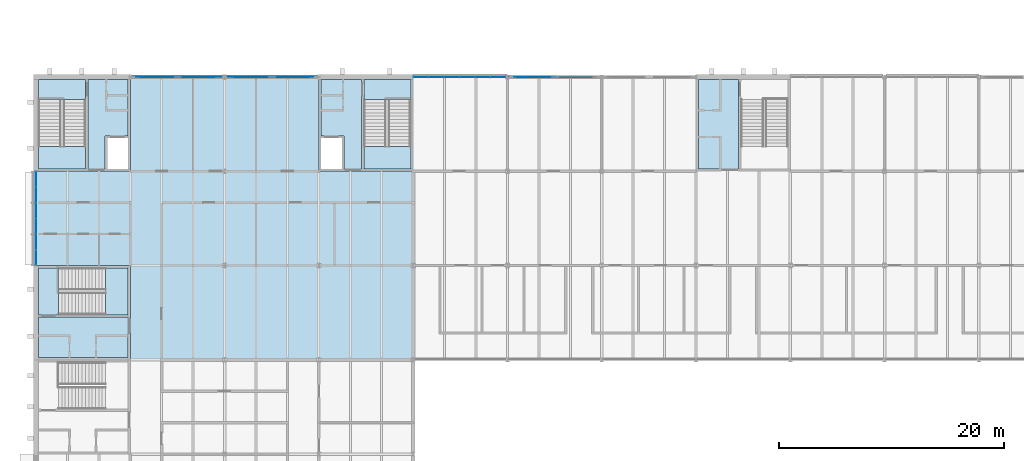
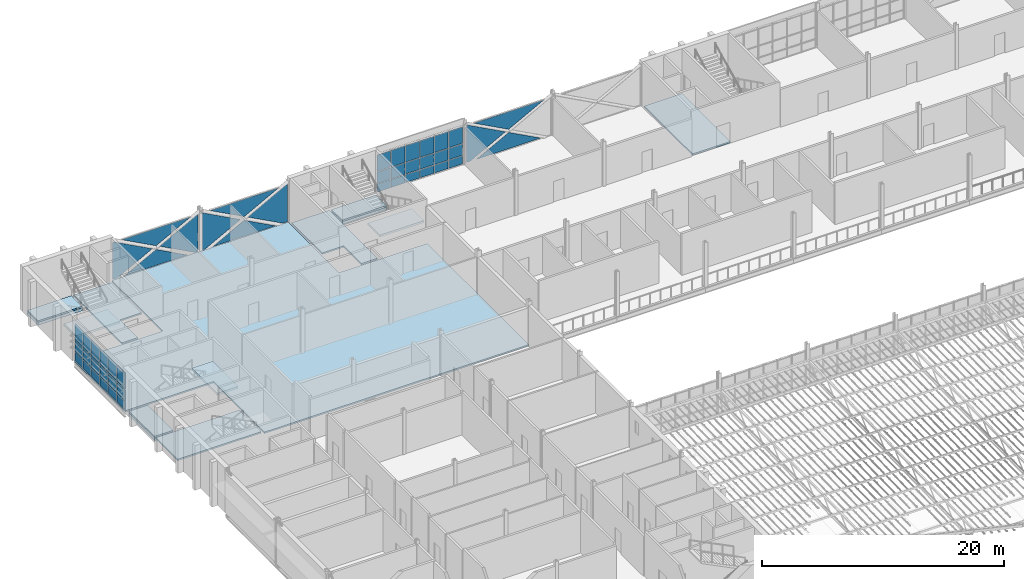
# One storey, part 77 of 129: 47 plates, 14 slabs, 8 elements without a shape of their own.
"""IFC4 building model written with IfcOpenShell, lengths in metres."""

from ifc_helpers import new_model, si_unit, direction, frame, origin, origin_2d, place, context, subcontext, project, spatial, polyline, rectangle, outline, extrude, material, layer, layer_set, type_object, element, aggregate, save


model = new_model("IFC4")

# Units and contexts
model_context = context("Model", 3, precision=1e-05, world=origin(), true_north=direction((0.0, 1.0)))
body_context = subcontext(model_context, "Body", "Model", "MODEL_VIEW")
ifc_project = project(units=[si_unit("LENGTHUNIT", "METRE"), si_unit("AREAUNIT", "SQUARE_METRE"), si_unit("VOLUMEUNIT", "CUBIC_METRE"), si_unit("PLANEANGLEUNIT", "RADIAN"), si_unit("MASSUNIT", "GRAM", prefix="KILO")], contexts=[model_context])

# Site, building, storey
site_placement = place(None, origin())
site = spatial("IfcSite", under=ifc_project, at=site_placement, CompositionType="ELEMENT")
building_placement = place(site_placement, origin())
building = spatial("IfcBuilding", under=site, at=building_placement, Name="Ardhachandra Cancer Care Centre", CompositionType="ELEMENT")
storey_placement = place(building_placement, frame((0.0, 0.0, 4.5)))
storey = spatial("IfcBuildingStorey", under=building, at=storey_placement, Name="L01", CompositionType="ELEMENT", Elevation=4.5)

# Slabs
ifc_material_1 = material(Name="Composite slab Concrete M30 on steel deck", Category="concrete")
ifc_layer_1 = layer(ifc_material_1, 0.14990234375)
ifc_layer_set_1 = layer_set([ifc_layer_1], Name="Composite slab Concrete M30 on steel deck")
slab_type_1 = type_object("IfcSlabType", Name="Composite floor slab 150", PredefinedType="FLOOR", material=ifc_layer_set_1)
slab_1_placement = place(storey_placement, frame((0.0, 0.0, -0.14990234375)))
element("IfcSlab", 1, at=slab_1_placement, inside=storey, type_object=slab_type_1, Name="Floor slab V6", PredefinedType="FLOOR", context=body_context, shape_type="SweptSolid", body=[
    extrude(outline(polyline([(44.39990234375, 88.199951171875), (36.0, 88.199951171875), (36.0, 96.60009765625), (19.199951171875, 96.60009765625), (19.199951171875, 88.199951171875), (10.800048828125, 88.199951171875), (10.800048828125, 79.800048828125), (19.199951171875, 79.800048828125), (19.199951171875, 71.39990234375), (44.39990234375, 71.39990234375), (44.39990234375, 88.199951171875)])), origin(), (0.0, 0.0, 1.0), 0.14990234375),
])
ifc_material_2 = material(Name="Concrete M40", Category="concrete")
ifc_layer_2 = layer(ifc_material_2, 0.14990234375)
ifc_layer_set_2 = layer_set([ifc_layer_2], Name="Concrete M40")
slab_type_2 = type_object("IfcSlabType", Name="Core floor slab 150", PredefinedType="FLOOR", material=ifc_layer_set_2)
slab_2_placement = place(storey_placement, frame((0.0, 0.0, -0.14990234375)))
element("IfcSlab", 2, at=slab_2_placement, inside=storey, type_object=slab_type_2, Name="Core floor slab K4 L01 1", PredefinedType="FLOOR", context=body_context, shape_type="SweptSolid", body=[
    extrude(outline(polyline([(11.02490234375, 96.375), (15.22509765625, 96.375), (15.22509765625, 94.60009765625), (11.02490234375, 94.60009765625), (11.02490234375, 96.375)])), origin(), (0.0, 0.0, 1.0), 0.14990234375),
])
slab_3_placement = place(storey_placement, frame((0.0, 0.0, -0.14990234375)))
element("IfcSlab", 3, at=slab_3_placement, inside=storey, type_object=slab_type_2, Name="Core floor slab K4 L01 2", PredefinedType="FLOOR", context=body_context, shape_type="SweptSolid", body=[
    extrude(outline(polyline([(19.0, 96.375), (19.0, 91.35009765625), (17.14990234375, 91.35009765625), (16.949951171875, 91.35009765625), (16.949951171875, 88.39990234375), (15.425048828125, 88.39990234375), (15.425048828125, 96.375), (19.0, 96.375)])), origin(), (0.0, 0.0, 1.0), 0.14990234375),
])
slab_4_placement = place(storey_placement, frame((0.0, 0.0, -0.14990234375)))
element("IfcSlab", 4, at=slab_4_placement, inside=storey, type_object=slab_type_2, Name="Core floor slab K5 L01 1", PredefinedType="FLOOR", context=body_context, shape_type="SweptSolid", body=[
    extrude(outline(polyline([(44.199951171875, 96.375), (40.0, 96.375), (40.0, 94.60009765625), (44.199951171875, 94.60009765625), (44.199951171875, 96.375)])), origin(), (0.0, 0.0, 1.0), 0.14990234375),
])
slab_5_placement = place(storey_placement, frame((0.0, 0.0, -0.14990234375)))
element("IfcSlab", 5, at=slab_5_placement, inside=storey, type_object=slab_type_2, Name="Core floor slab K5 L01 2", PredefinedType="FLOOR", context=body_context, shape_type="SweptSolid", body=[
    extrude(outline(polyline([(36.199951171875, 96.375), (36.199951171875, 91.35009765625), (38.050048828125, 91.35009765625), (38.25, 91.35009765625), (38.25, 88.39990234375), (39.800048828125, 88.39990234375), (39.800048828125, 96.375), (36.199951171875, 96.375)])), origin(), (0.0, 0.0, 1.0), 0.14990234375),
])
slab_6_placement = place(storey_placement, frame((0.0, 0.0, -0.14990234375)))
element("IfcSlab", 6, at=slab_6_placement, inside=storey, type_object=slab_type_2, Name="Core floor slab K6 L01 1", PredefinedType="FLOOR", context=body_context, shape_type="SweptSolid", body=[
    extrude(outline(polyline([(11.02490234375, 79.60009765625), (11.02490234375, 75.39990234375), (12.800048828125, 75.39990234375), (12.800048828125, 79.60009765625), (11.02490234375, 79.60009765625)])), origin(), (0.0, 0.0, 1.0), 0.14990234375),
])
slab_7_placement = place(storey_placement, frame((0.0, 0.0, -0.14990234375)))
element("IfcSlab", 7, at=slab_7_placement, inside=storey, type_object=slab_type_2, Name="Core floor slab K6 L01 2", PredefinedType="FLOOR", context=body_context, shape_type="SweptSolid", body=[
    extrude(outline(polyline([(11.02490234375, 71.60009765625), (19.0, 71.60009765625), (19.0, 75.199951171875), (11.02490234375, 75.199951171875), (11.02490234375, 71.60009765625)])), origin(), (0.0, 0.0, 1.0), 0.14990234375),
])
slab_8_placement = place(storey_placement, frame((0.0, 0.0, -0.14990234375)))
element("IfcSlab", 8, at=slab_8_placement, inside=storey, type_object=slab_type_2, Name="Core floor slab K8 L01 2", PredefinedType="FLOOR", context=body_context, shape_type="SweptSolid", body=[
    extrude(outline(polyline([(69.800048828125, 96.375), (69.800048828125, 88.39990234375), (73.39990234375, 88.39990234375), (73.39990234375, 96.375), (69.800048828125, 96.375)])), origin(), (0.0, 0.0, 1.0), 0.14990234375),
])
ifc_material_3 = material(Name="Concrete M40", Category="concrete")
ifc_layer_3 = layer(ifc_material_3, 0.300048828125)
ifc_layer_set_3 = layer_set([ifc_layer_3], Name="Concrete M40")
slab_type_3 = type_object("IfcSlabType", Name="Core stair edge slab 300", PredefinedType="FLOOR", material=ifc_layer_set_3)
slab_9_placement = place(storey_placement, frame((0.0, 0.0, -0.449951171875)))
element("IfcSlab", 9, at=slab_9_placement, inside=storey, type_object=slab_type_3, Name="Core stair edge slab K4 L01", PredefinedType="FLOOR", context=body_context, shape_type="SweptSolid", body=[
    extrude(outline(polyline([(11.02490234375, 94.60009765625), (15.22509765625, 94.60009765625), (15.22509765625, 96.375), (11.02490234375, 96.375), (11.02490234375, 94.60009765625)])), origin(), (0.0, 0.0, 1.0), 0.300048828125),
])
slab_10_placement = place(storey_placement, frame((0.0, 0.0, -0.449951171875)))
element("IfcSlab", 10, at=slab_10_placement, inside=storey, type_object=slab_type_3, Name="Core stair edge slab K5 L01", PredefinedType="FLOOR", context=body_context, shape_type="SweptSolid", body=[
    extrude(outline(polyline([(44.199951171875, 94.60009765625), (40.0, 94.60009765625), (40.0, 96.375), (44.199951171875, 96.375), (44.199951171875, 94.60009765625)])), origin(), (0.0, 0.0, 1.0), 0.300048828125),
])
slab_11_placement = place(storey_placement, frame((0.0, 0.0, -0.449951171875)))
element("IfcSlab", 11, at=slab_11_placement, inside=storey, type_object=slab_type_3, Name="Core stair edge slab K6 L01", PredefinedType="FLOOR", context=body_context, shape_type="SweptSolid", body=[
    extrude(outline(polyline([(12.800048828125, 79.60009765625), (12.800048828125, 75.39990234375), (11.02490234375, 75.39990234375), (11.02490234375, 79.60009765625), (12.800048828125, 79.60009765625)])), origin(), (0.0, 0.0, 1.0), 0.300048828125),
])

# Curtain wall, plates
ifc_material_4 = material(Name="Aluminium extrusion", Category="aluminium")
ifc_layer_4 = layer(ifc_material_4, 0.14990234375)
ifc_layer_set_4 = layer_set([ifc_layer_4], Name="Aluminium extrusion")
curtain_wall_type = type_object("IfcCurtainWallType", Name="Curtain wall run", PredefinedType="NOTDEFINED", material=ifc_layer_set_4)
curtain_wall_1_placement = place(storey_placement, origin())
curtain_wall_1 = element("IfcCurtainWall", 12, at=curtain_wall_1_placement, inside=storey, type_object=curtain_wall_type, Name="Curtain wall L01 n/0019200_0096600", PredefinedType="NOTDEFINED")
ifc_material_5 = material(Name="Low-iron double-glazed unit")
ifc_layer_5 = layer(ifc_material_5, 0.028076171875)
ifc_layer_set_5 = layer_set([ifc_layer_5], Name="Low-iron double-glazed unit")
plate_type_1 = type_object("IfcPlateType", Name="Curtain wall glazing 28", PredefinedType="CURTAIN_PANEL", material=ifc_layer_set_5)
plate_1_placement = place(storey_placement, frame((27.389892578125, 96.60009765625, 3.7900390625), z_axis=(0.0, 1.0, 0.0), x_axis=(0.0, 0.0, -1.0)))
plate_1 = element("IfcPlate", 13, at=plate_1_placement, type_object=plate_type_1, Name="CW panel 1.1", PredefinedType="CURTAIN_PANEL", context=body_context, shape_type="SweptSolid", body=[
    extrude(outline(polyline([(0.0, 0.0), (3.72998046875, 0.0), (3.72998046875, 0.303466796875), (1.93994140625, 3.644775390625), (0.0, 0.0234375), (0.0, 0.0)])), origin(), (0.0, 0.0, 1.0), 0.028076171875),
])
plate_2_placement = place(storey_placement, frame((26.67626953125, 96.60009765625, 3.7900390625), z_axis=(0.0, 1.0, 0.0), x_axis=(-0.881487781758, 0.0, -0.472206830332)))
plate_2 = element("IfcPlate", 14, at=plate_2_placement, type_object=plate_type_1, Name="CW panel 1.1", PredefinedType="CURTAIN_PANEL", context=body_context, shape_type="SweptSolid", body=[
    extrude(outline(polyline([(0.0, 0.0), (3.716796875, 0.0), (5.77587890625, 3.09423828125), (0.0, 0.0)])), frame((0.0, 0.0, -0.028076171875)), (0.0, 0.0, 1.0), 0.028076171875),
])
plate_3_placement = place(storey_placement, frame((19.260009765625, 96.60009765625, 0.06005859375), z_axis=(0.0, 1.0, 0.0), x_axis=(0.0, 0.0, 1.0)))
plate_3 = element("IfcPlate", 15, at=plate_3_placement, type_object=plate_type_1, Name="CW panel 1.1", PredefinedType="CURTAIN_PANEL", context=body_context, shape_type="SweptSolid", body=[
    extrude(outline(polyline([(0.0, 0.0), (3.72998046875, 0.0), (3.72998046875, 0.173583984375), (1.7900390625, 3.794921875), (0.0, 0.45361328125), (0.0, 0.0)])), origin(), (0.0, 0.0, 1.0), 0.028076171875),
])
plate_4_placement = place(storey_placement, frame((20.40380859375, 96.60009765625, 0.06005859375), z_axis=(0.0, 1.0, 0.0), x_axis=(0.88148851251, 0.0, 0.472205466203)))
plate_4 = element("IfcPlate", 16, at=plate_4_placement, type_object=plate_type_1, Name="CW panel 1.1", PredefinedType="CURTAIN_PANEL", context=body_context, shape_type="SweptSolid", body=[
    extrude(outline(polyline([(0.0, 0.0), (3.39892578125, 0.0), (5.2822265625, 2.82958984375), (0.0, 0.0)])), frame((0.0, 0.0, -0.028076171875)), (0.0, 0.0, 1.0), 0.028076171875),
])
aggregate(curtain_wall_1, [plate_1, plate_2, plate_3, plate_4])

curtain_wall_2_placement = place(storey_placement, origin())
curtain_wall_2 = element("IfcCurtainWall", 17, at=curtain_wall_2_placement, inside=storey, type_object=curtain_wall_type, Name="Curtain wall L01 n/0027600_0096600", PredefinedType="NOTDEFINED")
plate_5_placement = place(storey_placement, frame((35.93994140625, 96.60009765625, 3.7900390625), z_axis=(0.0, 1.0, 0.0), x_axis=(0.0, 0.0, -1.0)))
plate_5 = element("IfcPlate", 18, at=plate_5_placement, type_object=plate_type_1, Name="CW panel 1.1", PredefinedType="CURTAIN_PANEL", context=body_context, shape_type="SweptSolid", body=[
    extrude(outline(polyline([(0.0, 0.0), (3.72998046875, 0.0), (3.72998046875, 0.45361328125), (1.93994140625, 3.794921875), (0.0, 0.173583984375), (0.0, 0.0)])), origin(), (0.0, 0.0, 1.0), 0.028076171875),
])
plate_6_placement = place(storey_placement, frame((35.076171875, 96.60009765625, 3.7900390625), z_axis=(0.0, 1.0, 0.0), x_axis=(-0.881473134172, 0.0, -0.472234172559)))
plate_6 = element("IfcPlate", 19, at=plate_6_placement, type_object=plate_type_1, Name="CW panel 1.1", PredefinedType="CURTAIN_PANEL", context=body_context, shape_type="SweptSolid", body=[
    extrude(outline(polyline([(0.0, 0.0), (3.716552734375, 0.0), (5.77587890625, 3.09423828125), (0.0, 0.0)])), frame((0.0, 0.0, -0.028076171875)), (0.0, 0.0, 1.0), 0.028076171875),
])
plate_7_placement = place(storey_placement, frame((27.81005859375, 96.60009765625, 0.06005859375), z_axis=(0.0, 1.0, 0.0), x_axis=(0.0, 0.0, 1.0)))
plate_7 = element("IfcPlate", 20, at=plate_7_placement, type_object=plate_type_1, Name="CW panel 1.1", PredefinedType="CURTAIN_PANEL", context=body_context, shape_type="SweptSolid", body=[
    extrude(outline(polyline([(0.0, 0.0), (3.72998046875, 0.0), (3.72998046875, 0.0234375), (1.7900390625, 3.644775390625), (0.0, 0.303466796875), (0.0, 0.0)])), origin(), (0.0, 0.0, 1.0), 0.028076171875),
])
plate_8_placement = place(storey_placement, frame((28.8037109375, 96.60009765625, 0.06005859375), z_axis=(0.0, 1.0, 0.0), x_axis=(0.881504527331, 0.0, 0.472175569354)))
plate_8 = element("IfcPlate", 21, at=plate_8_placement, type_object=plate_type_1, Name="CW panel 1.1", PredefinedType="CURTAIN_PANEL", context=body_context, shape_type="SweptSolid", body=[
    extrude(outline(polyline([(0.0, 0.0), (3.399169921875, 0.0), (5.282470703125, 2.82958984375), (0.0, 0.0)])), frame((0.0, 0.0, -0.028076171875)), (0.0, 0.0, 1.0), 0.028076171875),
])
aggregate(curtain_wall_2, [plate_5, plate_6, plate_7, plate_8])

curtain_wall_3_placement = place(storey_placement, origin())
curtain_wall_3 = element("IfcCurtainWall", 22, at=curtain_wall_3_placement, inside=storey, type_object=curtain_wall_type, Name="Curtain wall L01 n/0044400_0096600", PredefinedType="NOTDEFINED")
plate_9_placement = place(storey_placement, frame((45.1025390625, 96.60009765625, 0.93017578125), z_axis=(0.0, 0.0, 1.0), x_axis=(1.0, 0.0, 0.0)))
plate_9 = element("IfcPlate", 23, at=plate_9_placement, type_object=plate_type_1, Name="CW panel 1.2", PredefinedType="CURTAIN_PANEL", context=body_context, shape_type="SweptSolid", body=[
    extrude(rectangle(XDim=1.284912109375, YDim=0.028076171875, at=origin_2d()), origin(), (0.0, 0.0, 1.0), 1.139892578125),
])
plate_10_placement = place(storey_placement, frame((45.1025390625, 96.60009765625, 2.1298828125), z_axis=(0.0, 0.0, 1.0), x_axis=(1.0, 0.0, 0.0)))
plate_10 = element("IfcPlate", 24, at=plate_10_placement, type_object=plate_type_1, Name="CW panel 1.3", PredefinedType="CURTAIN_PANEL", context=body_context, shape_type="SweptSolid", body=[
    extrude(rectangle(XDim=1.284912109375, YDim=0.028076171875, at=origin_2d()), origin(), (0.0, 0.0, 1.0), 1.659912109375),
])
plate_11_placement = place(storey_placement, frame((46.46240234375, 96.60009765625, 0.93017578125), z_axis=(0.0, 0.0, 1.0), x_axis=(1.0, 0.0, 0.0)))
plate_11 = element("IfcPlate", 25, at=plate_11_placement, type_object=plate_type_1, Name="CW panel 2.2", PredefinedType="CURTAIN_PANEL", context=body_context, shape_type="SweptSolid", body=[
    extrude(rectangle(XDim=1.31494140625, YDim=0.028076171875, at=origin_2d()), origin(), (0.0, 0.0, 1.0), 1.139892578125),
])
plate_12_placement = place(storey_placement, frame((46.46240234375, 96.60009765625, 2.1298828125), z_axis=(0.0, 0.0, 1.0), x_axis=(1.0, 0.0, 0.0)))
plate_12 = element("IfcPlate", 26, at=plate_12_placement, type_object=plate_type_1, Name="CW panel 2.3", PredefinedType="CURTAIN_PANEL", context=body_context, shape_type="SweptSolid", body=[
    extrude(rectangle(XDim=1.31494140625, YDim=0.028076171875, at=origin_2d()), origin(), (0.0, 0.0, 1.0), 1.659912109375),
])
plate_13_placement = place(storey_placement, frame((47.83740234375, 96.60009765625, 0.93017578125), z_axis=(0.0, 0.0, 1.0), x_axis=(1.0, 0.0, 0.0)))
plate_13 = element("IfcPlate", 27, at=plate_13_placement, type_object=plate_type_1, Name="CW panel 3.2", PredefinedType="CURTAIN_PANEL", context=body_context, shape_type="SweptSolid", body=[
    extrude(rectangle(XDim=1.31494140625, YDim=0.028076171875, at=origin_2d()), origin(), (0.0, 0.0, 1.0), 1.139892578125),
])
plate_14_placement = place(storey_placement, frame((47.83740234375, 96.60009765625, 2.1298828125), z_axis=(0.0, 0.0, 1.0), x_axis=(1.0, 0.0, 0.0)))
plate_14 = element("IfcPlate", 28, at=plate_14_placement, type_object=plate_type_1, Name="CW panel 3.3", PredefinedType="CURTAIN_PANEL", context=body_context, shape_type="SweptSolid", body=[
    extrude(rectangle(XDim=1.31494140625, YDim=0.028076171875, at=origin_2d()), origin(), (0.0, 0.0, 1.0), 1.659912109375),
])
plate_15_placement = place(storey_placement, frame((49.21240234375, 96.60009765625, 0.93017578125), z_axis=(0.0, 0.0, 1.0), x_axis=(1.0, 0.0, 0.0)))
plate_15 = element("IfcPlate", 29, at=plate_15_placement, type_object=plate_type_1, Name="CW panel 4.2", PredefinedType="CURTAIN_PANEL", context=body_context, shape_type="SweptSolid", body=[
    extrude(rectangle(XDim=1.31494140625, YDim=0.028076171875, at=origin_2d()), origin(), (0.0, 0.0, 1.0), 1.139892578125),
])
plate_16_placement = place(storey_placement, frame((49.21240234375, 96.60009765625, 2.1298828125), z_axis=(0.0, 0.0, 1.0), x_axis=(1.0, 0.0, 0.0)))
plate_16 = element("IfcPlate", 30, at=plate_16_placement, type_object=plate_type_1, Name="CW panel 4.3", PredefinedType="CURTAIN_PANEL", context=body_context, shape_type="SweptSolid", body=[
    extrude(rectangle(XDim=1.31494140625, YDim=0.028076171875, at=origin_2d()), origin(), (0.0, 0.0, 1.0), 1.659912109375),
])
plate_17_placement = place(storey_placement, frame((50.58740234375, 96.60009765625, 0.93017578125), z_axis=(0.0, 0.0, 1.0), x_axis=(1.0, 0.0, 0.0)))
plate_17 = element("IfcPlate", 31, at=plate_17_placement, type_object=plate_type_1, Name="CW panel 5.2", PredefinedType="CURTAIN_PANEL", context=body_context, shape_type="SweptSolid", body=[
    extrude(rectangle(XDim=1.31494140625, YDim=0.028076171875, at=origin_2d()), origin(), (0.0, 0.0, 1.0), 1.139892578125),
])
plate_18_placement = place(storey_placement, frame((50.58740234375, 96.60009765625, 2.1298828125), z_axis=(0.0, 0.0, 1.0), x_axis=(1.0, 0.0, 0.0)))
plate_18 = element("IfcPlate", 32, at=plate_18_placement, type_object=plate_type_1, Name="CW panel 5.3", PredefinedType="CURTAIN_PANEL", context=body_context, shape_type="SweptSolid", body=[
    extrude(rectangle(XDim=1.31494140625, YDim=0.028076171875, at=origin_2d()), origin(), (0.0, 0.0, 1.0), 1.659912109375),
])
plate_19_placement = place(storey_placement, frame((51.947509765625, 96.60009765625, 0.93017578125), z_axis=(0.0, 0.0, 1.0), x_axis=(1.0, 0.0, 0.0)))
plate_19 = element("IfcPlate", 33, at=plate_19_placement, type_object=plate_type_1, Name="CW panel 6.2", PredefinedType="CURTAIN_PANEL", context=body_context, shape_type="SweptSolid", body=[
    extrude(rectangle(XDim=1.284912109375, YDim=0.028076171875, at=origin_2d()), origin(), (0.0, 0.0, 1.0), 1.139892578125),
])
plate_20_placement = place(storey_placement, frame((51.947509765625, 96.60009765625, 2.1298828125), z_axis=(0.0, 0.0, 1.0), x_axis=(1.0, 0.0, 0.0)))
plate_20 = element("IfcPlate", 34, at=plate_20_placement, type_object=plate_type_1, Name="CW panel 6.3", PredefinedType="CURTAIN_PANEL", context=body_context, shape_type="SweptSolid", body=[
    extrude(rectangle(XDim=1.284912109375, YDim=0.028076171875, at=origin_2d()), origin(), (0.0, 0.0, 1.0), 1.659912109375),
])

curtain_wall_4_placement = place(storey_placement, origin())
curtain_wall_4 = element("IfcCurtainWall", 35, at=curtain_wall_4_placement, inside=storey, type_object=curtain_wall_type, Name="Curtain wall L01 n/0052800_0096600", PredefinedType="NOTDEFINED")
plate_21_placement = place(storey_placement, frame((60.330078125, 96.60009765625, 3.7900390625), z_axis=(0.0, 1.0, 0.0), x_axis=(-0.881483812908, 0.0, -0.47221423907)))
plate_21 = element("IfcPlate", 36, at=plate_21_placement, type_object=plate_type_1, Name="CW panel 1.1", PredefinedType="CURTAIN_PANEL", context=body_context, shape_type="SweptSolid", body=[
    extrude(outline(polyline([(0.0, 0.0), (3.77783203125, 0.0), (5.870849609375, 3.14501953125), (0.0, 0.0)])), frame((0.0, 0.0, -0.028076171875)), (0.0, 0.0, 1.0), 0.028076171875),
])
plate_22_placement = place(storey_placement, frame((53.010009765625, 96.60009765625, 0.06005859375), z_axis=(0.0, 1.0, 0.0), x_axis=(0.0, 0.0, 1.0)))
plate_22 = element("IfcPlate", 37, at=plate_22_placement, type_object=plate_type_1, Name="CW panel 1.1", PredefinedType="CURTAIN_PANEL", context=body_context, shape_type="SweptSolid", body=[
    extrude(outline(polyline([(0.0, 0.0), (3.72998046875, 0.0), (3.72998046875, 0.077392578125), (1.7900390625, 3.69873046875), (0.0, 0.357421875), (0.0, 0.0)])), origin(), (0.0, 0.0, 1.0), 0.028076171875),
])
plate_23_placement = place(storey_placement, frame((53.949951171875, 96.60009765625, 0.06005859375), z_axis=(0.0, 1.0, 0.0), x_axis=(0.881470529599, 0.0, 0.472239034228)))
plate_23 = element("IfcPlate", 38, at=plate_23_placement, type_object=plate_type_1, Name="CW panel 1.1", PredefinedType="CURTAIN_PANEL", context=body_context, shape_type="SweptSolid", body=[
    extrude(outline(polyline([(0.0, 0.0), (3.460205078125, 0.0), (5.376953125, 2.880615234375), (0.0, 0.0)])), frame((0.0, 0.0, -0.028076171875)), (0.0, 0.0, 1.0), 0.028076171875),
])
aggregate(curtain_wall_4, [plate_21, plate_22, plate_23])

curtain_wall_5_placement = place(storey_placement, origin())
curtain_wall_5 = element("IfcCurtainWall", 39, at=curtain_wall_5_placement, inside=storey, type_object=curtain_wall_type, Name="Curtain wall L01 w/0010800_0079800", PredefinedType="NOTDEFINED")
plate_24_placement = place(storey_placement, frame((10.800048828125, 86.10009765625, 0.93017578125), z_axis=(0.0, 0.0, 1.0), x_axis=(0.0, 1.0, 0.0)))
plate_24 = element("IfcPlate", 40, at=plate_24_placement, type_object=plate_type_1, Name="CW panel 5.2", PredefinedType="CURTAIN_PANEL", context=body_context, shape_type="SweptSolid", body=[
    extrude(rectangle(XDim=1.340087890625, YDim=0.028076171875, at=origin_2d()), origin(), (0.0, 0.0, 1.0), 1.139892578125),
])
plate_25_placement = place(storey_placement, frame((10.800048828125, 86.10009765625, 2.1298828125), z_axis=(0.0, 0.0, 1.0), x_axis=(0.0, 1.0, 0.0)))
plate_25 = element("IfcPlate", 41, at=plate_25_placement, type_object=plate_type_1, Name="CW panel 5.3", PredefinedType="CURTAIN_PANEL", context=body_context, shape_type="SweptSolid", body=[
    extrude(rectangle(XDim=1.340087890625, YDim=0.028076171875, at=origin_2d()), origin(), (0.0, 0.0, 1.0), 1.659912109375),
])
plate_26_placement = place(storey_placement, frame((10.800048828125, 87.485107421875, 0.93017578125), z_axis=(0.0, 0.0, 1.0), x_axis=(0.0, 1.0, 0.0)))
plate_26 = element("IfcPlate", 42, at=plate_26_placement, type_object=plate_type_1, Name="CW panel 6.2", PredefinedType="CURTAIN_PANEL", context=body_context, shape_type="SweptSolid", body=[
    extrude(rectangle(XDim=1.31005859375, YDim=0.028076171875, at=origin_2d()), origin(), (0.0, 0.0, 1.0), 1.139892578125),
])
plate_27_placement = place(storey_placement, frame((10.800048828125, 87.485107421875, 2.1298828125), z_axis=(0.0, 0.0, 1.0), x_axis=(0.0, 1.0, 0.0)))
plate_27 = element("IfcPlate", 43, at=plate_27_placement, type_object=plate_type_1, Name="CW panel 6.3", PredefinedType="CURTAIN_PANEL", context=body_context, shape_type="SweptSolid", body=[
    extrude(rectangle(XDim=1.31005859375, YDim=0.028076171875, at=origin_2d()), origin(), (0.0, 0.0, 1.0), 1.659912109375),
])

# Plate
ifc_material_6 = material(Name="Aluminium composite spandrel panel", Category="aluminium")
ifc_layer_6 = layer(ifc_material_6, 0.028076171875)
ifc_layer_set_6 = layer_set([ifc_layer_6], Name="Aluminium composite spandrel panel")
plate_type_2 = type_object("IfcPlateType", Name="Curtain wall spandrel panel 28", PredefinedType="CURTAIN_PANEL", material=ifc_layer_set_6)
plate_28_placement = place(storey_placement, frame((45.1025390625, 96.60009765625, 0.06005859375), z_axis=(0.0, 0.0, 1.0), x_axis=(1.0, 0.0, 0.0)))
plate_28 = element("IfcPlate", 44, at=plate_28_placement, type_object=plate_type_2, Name="CW panel 1.1", PredefinedType="CURTAIN_PANEL", context=body_context, shape_type="SweptSolid", body=[
    extrude(rectangle(XDim=1.284912109375, YDim=0.028076171875, at=origin_2d()), origin(), (0.0, 0.0, 1.0), 0.81005859375),
])

plate_29_placement = place(storey_placement, frame((46.46240234375, 96.60009765625, 0.06005859375), z_axis=(0.0, 0.0, 1.0), x_axis=(1.0, 0.0, 0.0)))
plate_29 = element("IfcPlate", 45, at=plate_29_placement, type_object=plate_type_2, Name="CW panel 2.1", PredefinedType="CURTAIN_PANEL", context=body_context, shape_type="SweptSolid", body=[
    extrude(rectangle(XDim=1.31494140625, YDim=0.028076171875, at=origin_2d()), origin(), (0.0, 0.0, 1.0), 0.81005859375),
])

plate_30_placement = place(storey_placement, frame((47.83740234375, 96.60009765625, 0.06005859375), z_axis=(0.0, 0.0, 1.0), x_axis=(1.0, 0.0, 0.0)))
plate_30 = element("IfcPlate", 46, at=plate_30_placement, type_object=plate_type_2, Name="CW panel 3.1", PredefinedType="CURTAIN_PANEL", context=body_context, shape_type="SweptSolid", body=[
    extrude(rectangle(XDim=1.31494140625, YDim=0.028076171875, at=origin_2d()), origin(), (0.0, 0.0, 1.0), 0.81005859375),
])

plate_31_placement = place(storey_placement, frame((49.21240234375, 96.60009765625, 0.06005859375), z_axis=(0.0, 0.0, 1.0), x_axis=(1.0, 0.0, 0.0)))
plate_31 = element("IfcPlate", 47, at=plate_31_placement, type_object=plate_type_2, Name="CW panel 4.1", PredefinedType="CURTAIN_PANEL", context=body_context, shape_type="SweptSolid", body=[
    extrude(rectangle(XDim=1.31494140625, YDim=0.028076171875, at=origin_2d()), origin(), (0.0, 0.0, 1.0), 0.81005859375),
])

plate_32_placement = place(storey_placement, frame((50.58740234375, 96.60009765625, 0.06005859375), z_axis=(0.0, 0.0, 1.0), x_axis=(1.0, 0.0, 0.0)))
plate_32 = element("IfcPlate", 48, at=plate_32_placement, type_object=plate_type_2, Name="CW panel 5.1", PredefinedType="CURTAIN_PANEL", context=body_context, shape_type="SweptSolid", body=[
    extrude(rectangle(XDim=1.31494140625, YDim=0.028076171875, at=origin_2d()), origin(), (0.0, 0.0, 1.0), 0.81005859375),
])

plate_33_placement = place(storey_placement, frame((51.947509765625, 96.60009765625, 0.06005859375), z_axis=(0.0, 0.0, 1.0), x_axis=(1.0, 0.0, 0.0)))
plate_33 = element("IfcPlate", 49, at=plate_33_placement, type_object=plate_type_2, Name="CW panel 6.1", PredefinedType="CURTAIN_PANEL", context=body_context, shape_type="SweptSolid", body=[
    extrude(rectangle(XDim=1.284912109375, YDim=0.028076171875, at=origin_2d()), origin(), (0.0, 0.0, 1.0), 0.81005859375),
])

aggregate(curtain_wall_3, [plate_28, plate_9, plate_10, plate_29, plate_11, plate_12, plate_30, plate_13, plate_14, plate_31, plate_15, plate_16, plate_32, plate_17, plate_18, plate_33, plate_19, plate_20])

plate_34_placement = place(storey_placement, frame((10.800048828125, 80.514892578125, 0.06005859375), z_axis=(0.0, 0.0, 1.0), x_axis=(0.0, 1.0, 0.0)))
plate_34 = element("IfcPlate", 50, at=plate_34_placement, type_object=plate_type_2, Name="CW panel 1.1", PredefinedType="CURTAIN_PANEL", context=body_context, shape_type="SweptSolid", body=[
    extrude(rectangle(XDim=1.31005859375, YDim=0.028076171875, at=origin_2d()), origin(), (0.0, 0.0, 1.0), 0.81005859375),
])

plate_35_placement = place(storey_placement, frame((10.800048828125, 80.514892578125, 0.93017578125), z_axis=(0.0, 0.0, 1.0), x_axis=(0.0, 1.0, 0.0)))
plate_35 = element("IfcPlate", 51, at=plate_35_placement, type_object=plate_type_2, Name="CW panel 1.2", PredefinedType="CURTAIN_PANEL", context=body_context, shape_type="SweptSolid", body=[
    extrude(rectangle(XDim=1.31005859375, YDim=0.028076171875, at=origin_2d()), origin(), (0.0, 0.0, 1.0), 1.139892578125),
])

plate_36_placement = place(storey_placement, frame((10.800048828125, 80.514892578125, 2.1298828125), z_axis=(0.0, 0.0, 1.0), x_axis=(0.0, 1.0, 0.0)))
plate_36 = element("IfcPlate", 52, at=plate_36_placement, type_object=plate_type_2, Name="CW panel 1.3", PredefinedType="CURTAIN_PANEL", context=body_context, shape_type="SweptSolid", body=[
    extrude(rectangle(XDim=1.31005859375, YDim=0.028076171875, at=origin_2d()), origin(), (0.0, 0.0, 1.0), 1.659912109375),
])

plate_37_placement = place(storey_placement, frame((10.800048828125, 81.89990234375, 0.06005859375), z_axis=(0.0, 0.0, 1.0), x_axis=(0.0, 1.0, 0.0)))
plate_37 = element("IfcPlate", 53, at=plate_37_placement, type_object=plate_type_2, Name="CW panel 2.1", PredefinedType="CURTAIN_PANEL", context=body_context, shape_type="SweptSolid", body=[
    extrude(rectangle(XDim=1.340087890625, YDim=0.028076171875, at=origin_2d()), origin(), (0.0, 0.0, 1.0), 0.81005859375),
])

plate_38_placement = place(storey_placement, frame((10.800048828125, 81.89990234375, 0.93017578125), z_axis=(0.0, 0.0, 1.0), x_axis=(0.0, 1.0, 0.0)))
plate_38 = element("IfcPlate", 54, at=plate_38_placement, type_object=plate_type_2, Name="CW panel 2.2", PredefinedType="CURTAIN_PANEL", context=body_context, shape_type="SweptSolid", body=[
    extrude(rectangle(XDim=1.340087890625, YDim=0.028076171875, at=origin_2d()), origin(), (0.0, 0.0, 1.0), 1.139892578125),
])

plate_39_placement = place(storey_placement, frame((10.800048828125, 81.89990234375, 2.1298828125), z_axis=(0.0, 0.0, 1.0), x_axis=(0.0, 1.0, 0.0)))
plate_39 = element("IfcPlate", 55, at=plate_39_placement, type_object=plate_type_2, Name="CW panel 2.3", PredefinedType="CURTAIN_PANEL", context=body_context, shape_type="SweptSolid", body=[
    extrude(rectangle(XDim=1.340087890625, YDim=0.028076171875, at=origin_2d()), origin(), (0.0, 0.0, 1.0), 1.659912109375),
])

plate_40_placement = place(storey_placement, frame((10.800048828125, 83.300048828125, 0.06005859375), z_axis=(0.0, 0.0, 1.0), x_axis=(0.0, 1.0, 0.0)))
plate_40 = element("IfcPlate", 56, at=plate_40_placement, type_object=plate_type_2, Name="CW panel 3.1", PredefinedType="CURTAIN_PANEL", context=body_context, shape_type="SweptSolid", body=[
    extrude(rectangle(XDim=1.340087890625, YDim=0.028076171875, at=origin_2d()), origin(), (0.0, 0.0, 1.0), 0.81005859375),
])

plate_41_placement = place(storey_placement, frame((10.800048828125, 83.300048828125, 0.93017578125), z_axis=(0.0, 0.0, 1.0), x_axis=(0.0, 1.0, 0.0)))
plate_41 = element("IfcPlate", 57, at=plate_41_placement, type_object=plate_type_2, Name="CW panel 3.2", PredefinedType="CURTAIN_PANEL", context=body_context, shape_type="SweptSolid", body=[
    extrude(rectangle(XDim=1.340087890625, YDim=0.028076171875, at=origin_2d()), origin(), (0.0, 0.0, 1.0), 1.139892578125),
])

plate_42_placement = place(storey_placement, frame((10.800048828125, 83.300048828125, 2.1298828125), z_axis=(0.0, 0.0, 1.0), x_axis=(0.0, 1.0, 0.0)))
plate_42 = element("IfcPlate", 58, at=plate_42_placement, type_object=plate_type_2, Name="CW panel 3.3", PredefinedType="CURTAIN_PANEL", context=body_context, shape_type="SweptSolid", body=[
    extrude(rectangle(XDim=1.340087890625, YDim=0.028076171875, at=origin_2d()), origin(), (0.0, 0.0, 1.0), 1.659912109375),
])

plate_43_placement = place(storey_placement, frame((10.800048828125, 84.699951171875, 0.06005859375), z_axis=(0.0, 0.0, 1.0), x_axis=(0.0, 1.0, 0.0)))
plate_43 = element("IfcPlate", 59, at=plate_43_placement, type_object=plate_type_2, Name="CW panel 4.1", PredefinedType="CURTAIN_PANEL", context=body_context, shape_type="SweptSolid", body=[
    extrude(rectangle(XDim=1.340087890625, YDim=0.028076171875, at=origin_2d()), origin(), (0.0, 0.0, 1.0), 0.81005859375),
])

plate_44_placement = place(storey_placement, frame((10.800048828125, 84.699951171875, 0.93017578125), z_axis=(0.0, 0.0, 1.0), x_axis=(0.0, 1.0, 0.0)))
plate_44 = element("IfcPlate", 60, at=plate_44_placement, type_object=plate_type_2, Name="CW panel 4.2", PredefinedType="CURTAIN_PANEL", context=body_context, shape_type="SweptSolid", body=[
    extrude(rectangle(XDim=1.340087890625, YDim=0.028076171875, at=origin_2d()), origin(), (0.0, 0.0, 1.0), 1.139892578125),
])

plate_45_placement = place(storey_placement, frame((10.800048828125, 84.699951171875, 2.1298828125), z_axis=(0.0, 0.0, 1.0), x_axis=(0.0, 1.0, 0.0)))
plate_45 = element("IfcPlate", 61, at=plate_45_placement, type_object=plate_type_2, Name="CW panel 4.3", PredefinedType="CURTAIN_PANEL", context=body_context, shape_type="SweptSolid", body=[
    extrude(rectangle(XDim=1.340087890625, YDim=0.028076171875, at=origin_2d()), origin(), (0.0, 0.0, 1.0), 1.659912109375),
])

plate_46_placement = place(storey_placement, frame((10.800048828125, 86.10009765625, 0.06005859375), z_axis=(0.0, 0.0, 1.0), x_axis=(0.0, 1.0, 0.0)))
plate_46 = element("IfcPlate", 62, at=plate_46_placement, type_object=plate_type_2, Name="CW panel 5.1", PredefinedType="CURTAIN_PANEL", context=body_context, shape_type="SweptSolid", body=[
    extrude(rectangle(XDim=1.340087890625, YDim=0.028076171875, at=origin_2d()), origin(), (0.0, 0.0, 1.0), 0.81005859375),
])

plate_47_placement = place(storey_placement, frame((10.800048828125, 87.485107421875, 0.06005859375), z_axis=(0.0, 0.0, 1.0), x_axis=(0.0, 1.0, 0.0)))
plate_47 = element("IfcPlate", 63, at=plate_47_placement, type_object=plate_type_2, Name="CW panel 6.1", PredefinedType="CURTAIN_PANEL", context=body_context, shape_type="SweptSolid", body=[
    extrude(rectangle(XDim=1.31005859375, YDim=0.028076171875, at=origin_2d()), origin(), (0.0, 0.0, 1.0), 0.81005859375),
])

aggregate(curtain_wall_5, [plate_34, plate_35, plate_36, plate_37, plate_38, plate_39, plate_40, plate_41, plate_42, plate_43, plate_44, plate_45, plate_46, plate_24, plate_25, plate_47, plate_26, plate_27])

# Stair, slab
ifc_material_7 = material(Name="Concrete M40", Category="concrete")
stair_type = type_object("IfcStairType", Name="Dog-leg stair 2000", PredefinedType="HALF_TURN_STAIR", material=ifc_material_7)
stair_1_placement = place(storey_placement, origin())
stair_1 = element("IfcStair", 64, at=stair_1_placement, inside=storey, type_object=stair_type, Name="Stair K4 L01-L02", PredefinedType="HALF_TURN_STAIR")
ifc_material_8 = material(Name="Concrete M40", Category="concrete")
ifc_layer_7 = layer(ifc_material_8, 0.199951171875)
ifc_layer_set_7 = layer_set([ifc_layer_7], Name="Concrete M40")
slab_type_4 = type_object("IfcSlabType", Name="Stair landing 200", PredefinedType="LANDING", material=ifc_layer_set_7)
slab_12_placement = place(storey_placement, frame((0.0, 0.0, 2.050048828125)))
slab_12 = element("IfcSlab", 65, at=slab_12_placement, type_object=slab_type_4, Name="stair K4 L01-L02 landing 1", PredefinedType="LANDING", context=body_context, shape_type="SweptSolid", body=[
    extrude(outline(polyline([(11.02490234375, 88.39990234375), (15.22509765625, 88.39990234375), (15.22509765625, 90.39990234375), (11.02490234375, 90.39990234375), (11.02490234375, 88.39990234375)])), origin(), (0.0, 0.0, 1.0), 0.199951171875),
])
aggregate(stair_1, [slab_12])

stair_2_placement = place(storey_placement, origin())
stair_2 = element("IfcStair", 66, at=stair_2_placement, inside=storey, type_object=stair_type, Name="Stair K5 L01-L02", PredefinedType="HALF_TURN_STAIR")
slab_13_placement = place(storey_placement, frame((0.0, 0.0, 2.050048828125)))
slab_13 = element("IfcSlab", 67, at=slab_13_placement, type_object=slab_type_4, Name="stair K5 L01-L02 landing 1", PredefinedType="LANDING", context=body_context, shape_type="SweptSolid", body=[
    extrude(outline(polyline([(40.0, 88.39990234375), (44.199951171875, 88.39990234375), (44.199951171875, 90.39990234375), (40.0, 90.39990234375), (40.0, 88.39990234375)])), origin(), (0.0, 0.0, 1.0), 0.199951171875),
])
aggregate(stair_2, [slab_13])

stair_3_placement = place(storey_placement, origin())
stair_3 = element("IfcStair", 68, at=stair_3_placement, inside=storey, type_object=stair_type, Name="Stair K6 L01-L02", PredefinedType="HALF_TURN_STAIR")
slab_14_placement = place(storey_placement, frame((0.0, 0.0, 2.050048828125)))
slab_14 = element("IfcSlab", 69, at=slab_14_placement, type_object=slab_type_4, Name="stair K6 L01-L02 landing 1", PredefinedType="LANDING", context=body_context, shape_type="SweptSolid", body=[
    extrude(outline(polyline([(17.0, 75.39990234375), (19.0, 75.39990234375), (19.0, 79.60009765625), (17.0, 79.60009765625), (17.0, 75.39990234375)])), origin(), (0.0, 0.0, 1.0), 0.199951171875),
])
aggregate(stair_3, [slab_14])

save(model, "model.ifc")
